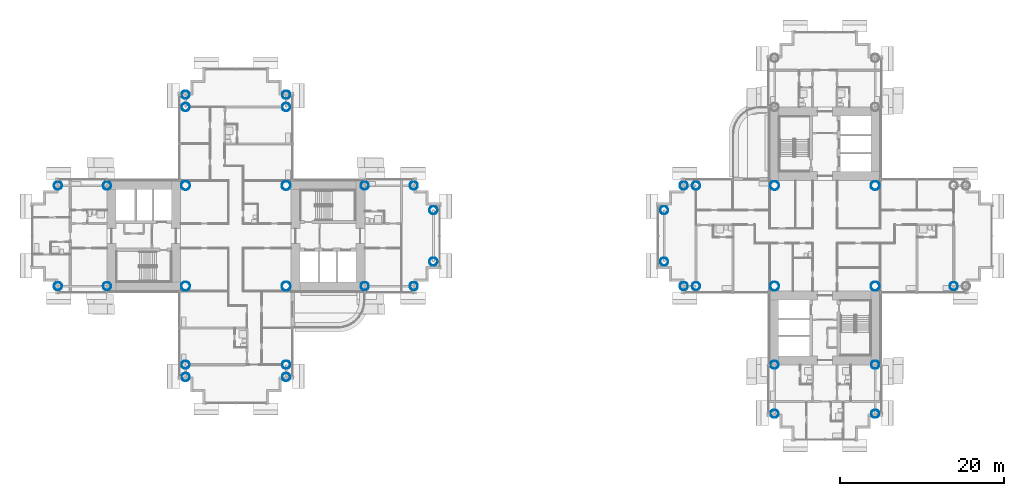
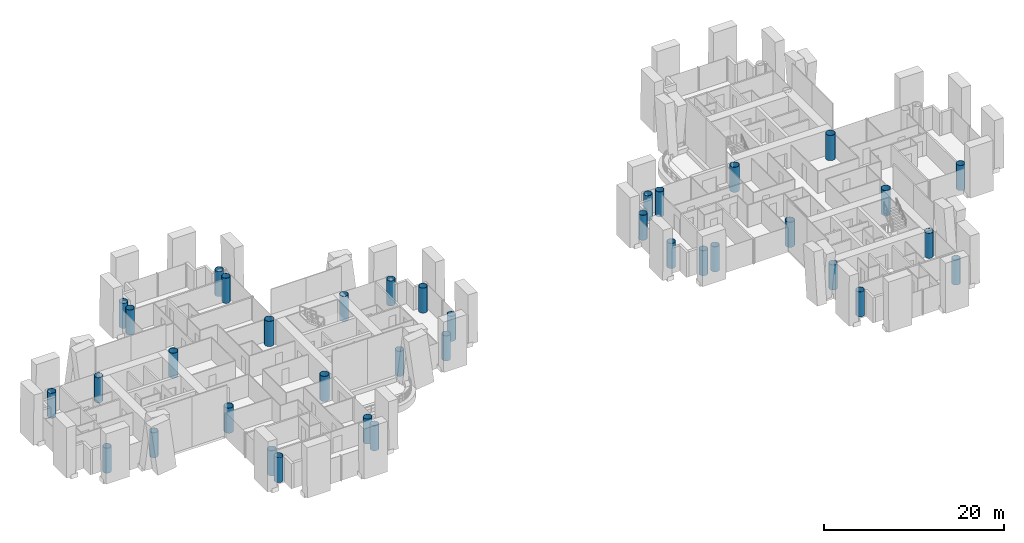
# One storey, part 1 of 23: 37 columns.
"""IFC4 building model written with IfcOpenShell, lengths in metres."""

from ifc_helpers import new_model, si_unit, direction, frame, origin, origin_2d, place, context, subcontext, project, spatial, hollow_circle, extrude, material, material_profile, profile_set, type_object, element, save


model = new_model("IFC4")

# Units and contexts
model_context = context("Model", 3, precision=1e-05, world=origin(), true_north=direction((0.0, 1.0)))
body_context = subcontext(model_context, "Body", "Model", "MODEL_VIEW")
ifc_project = project(units=[si_unit("LENGTHUNIT", "METRE"), si_unit("AREAUNIT", "SQUARE_METRE"), si_unit("VOLUMEUNIT", "CUBIC_METRE"), si_unit("PLANEANGLEUNIT", "RADIAN"), si_unit("MASSUNIT", "GRAM", prefix="KILO")], contexts=[model_context])

# Site, building, storey
site_placement = place(None, origin())
site = spatial("IfcSite", under=ifc_project, at=site_placement, CompositionType="ELEMENT")
building_placement = place(site_placement, origin())
building = spatial("IfcBuilding", under=site, at=building_placement, Name="Ipe Terrace Towers", CompositionType="ELEMENT")
storey_placement = place(building_placement, frame((0.0, 0.0, 44.89990234375)))
storey = spatial("IfcBuildingStorey", under=building, at=storey_placement, Name="L11", CompositionType="ELEMENT", Elevation=44.89990234375)

# Columns
ifc_material_1 = material(Name="Steel S355 tube with Concrete C60/75 fill", Category="concrete")
ifc_material_profile_1 = material_profile(ifc_material_1, hollow_circle(Radius=0.5, WallThickness=0.035888671875, at=origin_2d()), Name="CHS-1000x36")
ifc_profile_set_1 = profile_set([ifc_material_profile_1], Name="Steel S355 tube with Concrete C60/75 fill")
column_type_1 = type_object("IfcColumnType", Name="CH01 COLUMN CHS-1000x36", PredefinedType="COLUMN", material=ifc_profile_set_1)
for number, where, z_axis, x_axis, name in (
    (1, (-20.25, -6.14990234375, 0.0), (0.0, 0.0, 1.0), (1.0, 0.0, 0.0), "Column T1-C-A01"),
    (2, (-20.25, 6.14990234375, 0.0), (0.0, 0.0, 1.0), (1.0, 0.0, 0.0), "Column T1-C-A02"),
    (3, (-14.25, -6.14990234375, 0.0), (0.0, 0.0, 1.0), (1.0, 0.0, 0.0), "Column T1-C-A03"),
    (4, (-14.25, 6.14990234375, 0.0), (0.0, 0.0, 1.0), (1.0, 0.0, 0.0), "Column T1-C-A04"),
    (5, (-11.85009765625, -3.14990234375, 0.0), (0.0, 0.0, 1.0), (1.0, 0.0, 0.0), "Column T1-C-A05"),
    (6, (-11.85009765625, 3.14990234375, 0.0), (0.0, 0.0, 1.0), (1.0, 0.0, 0.0), "Column T1-C-A06"),
    (7, (-29.85009765625, 15.75, 0.0), (0.0, 0.0, 1.0), (1.0, 0.0, 0.0), "Column T1-C-B03"),
    (8, (-42.14990234375, 15.75, 0.0), (0.0, 0.0, 1.0), (1.0, 0.0, 0.0), "Column T1-C-B04"),
    (9, (-29.85009765625, 17.25, 0.0), (0.0, 0.0, 1.0), (1.0, 0.0, 0.0), "Column T1-C-B05"),
    (10, (-42.14990234375, 17.25, 0.0), (0.0, 0.0, 1.0), (1.0, 0.0, 0.0), "Column T1-C-B06"),
    (11, (-51.75, -6.14990234375, 0.0), (0.0, 0.0, 1.0), (1.0, 0.0, 0.0), "Column T1-C-C01"),
    (12, (-51.75, 6.14990234375, 0.0), (0.0, 0.0, 1.0), (1.0, 0.0, 0.0), "Column T1-C-C02"),
    (13, (-57.75, -6.14990234375, 0.0), (0.0, 0.0, 1.0), (1.0, 0.0, 0.0), "Column T1-C-C03"),
    (14, (-57.75, 6.14990234375, 0.0), (0.0, 0.0, 1.0), (1.0, 0.0, 0.0), "Column T1-C-C04"),
    (15, (-42.14990234375, -15.75, 0.0), (0.0, 0.0, 1.0), (1.0, 0.0, 0.0), "Column T1-C-D03"),
    (16, (-29.85009765625, -15.75, 0.0), (0.0, 0.0, 1.0), (1.0, 0.0, 0.0), "Column T1-C-D04"),
    (17, (-42.14990234375, -17.25, 0.0), (0.0, 0.0, 1.0), (1.0, 0.0, 0.0), "Column T1-C-D05"),
    (18, (-29.85009765625, -17.25, 0.0), (0.0, 0.0, 1.0), (1.0, 0.0, 0.0), "Column T1-C-D06"),
    (19, (20.25, 6.14990234375, 0.0), (0.0, 0.0, 1.0), (1.0, 0.0, 0.0), "Column T2-C-B03"),
    (20, (20.25, -6.14990234375, 0.0), (0.0, 0.0, 1.0), (1.0, 0.0, 0.0), "Column T2-C-B04"),
    (21, (18.75, 6.14990234375, 0.0), (0.0, 0.0, 1.0), (1.0, 0.0, 0.0), "Column T2-C-B05"),
    (22, (18.75, -6.14990234375, 0.0), (0.0, 0.0, 1.0), (1.0, 0.0, 0.0), "Column T2-C-B06"),
    (23, (16.35009765625, 3.14990234375, 0.0), (0.0, 0.0, 1.0), (1.0, 0.0, 0.0), "Column T2-C-B07"),
    (24, (16.35009765625, -3.14990234375, 0.0), (0.0, 0.0, 1.0), (1.0, 0.0, 0.0), "Column T2-C-B08"),
    (25, (42.14990234375, -15.75, 0.0), (0.0, 0.0, 1.0), (1.0, 0.0, 0.0), "Column T2-C-C01"),
    (26, (29.85009765625, -15.75, 0.0), (0.0, 0.0, 1.0), (1.0, 0.0, 0.0), "Column T2-C-C02"),
    (27, (42.14990234375, -21.75, 0.0), (0.0, 0.0, 1.0), (1.0, 0.0, 0.0), "Column T2-C-C03"),
    (28, (29.85009765625, -21.75, 0.0), (0.0, 0.0, 1.0), (1.0, 0.0, 0.0), "Column T2-C-C04"),
    (29, (51.75, -6.14990234375, 0.0), (0.0, 0.0, 1.0), (1.0, 0.0, 0.0), "Column T2-C-D03"),
):
    element("IfcColumn", number, at=place(storey_placement, frame(where, z_axis=z_axis, x_axis=x_axis)), inside=storey, type_object=column_type_1, Name=name, PredefinedType="COLUMN", context=body_context, shape_type="SweptSolid", body=[
        extrude(hollow_circle(Radius=0.5, WallThickness=0.035888671875, at=origin_2d()), origin(), (0.0, 0.0, 1.0), 3.400146484375),
    ])
ifc_material_2 = material(Name="Steel S355 tube with Concrete C60/75 fill", Category="concrete")
ifc_material_profile_2 = material_profile(ifc_material_2, hollow_circle(Radius=0.550048828125, WallThickness=0.0400390625, at=origin_2d()), Name="CHS-1100x40")
ifc_profile_set_2 = profile_set([ifc_material_profile_2], Name="Steel S355 tube with Concrete C60/75 fill")
column_type_2 = type_object("IfcColumnType", Name="CH02 COLUMN CHS-1100x40", PredefinedType="COLUMN", material=ifc_profile_set_2)
for number, where, z_axis, x_axis, name in (
    (30, (-42.14990234375, -6.14990234375, 0.0), (0.0, 0.0, 1.0), (1.0, 0.0, 0.0), "Column T1-C-E01"),
    (31, (-29.85009765625, -6.14990234375, 0.0), (0.0, 0.0, 1.0), (1.0, 0.0, 0.0), "Column T1-C-E02"),
    (32, (-29.85009765625, 6.14990234375, 0.0), (0.0, 0.0, 1.0), (1.0, 0.0, 0.0), "Column T1-C-E03"),
    (33, (-42.14990234375, 6.14990234375, 0.0), (0.0, 0.0, 1.0), (1.0, 0.0, 0.0), "Column T1-C-E04"),
    (34, (42.14990234375, -6.14990234375, 0.0), (0.0, 0.0, 1.0), (1.0, 0.0, 0.0), "Column T2-C-E01"),
    (35, (42.14990234375, 6.14990234375, 0.0), (0.0, 0.0, 1.0), (1.0, 0.0, 0.0), "Column T2-C-E02"),
    (36, (29.85009765625, 6.14990234375, 0.0), (0.0, 0.0, 1.0), (1.0, 0.0, 0.0), "Column T2-C-E03"),
    (37, (29.85009765625, -6.14990234375, 0.0), (0.0, 0.0, 1.0), (1.0, 0.0, 0.0), "Column T2-C-E04"),
):
    element("IfcColumn", number, at=place(storey_placement, frame(where, z_axis=z_axis, x_axis=x_axis)), inside=storey, type_object=column_type_2, Name=name, PredefinedType="COLUMN", context=body_context, shape_type="SweptSolid", body=[
        extrude(hollow_circle(Radius=0.550048828125, WallThickness=0.0400390625, at=origin_2d()), origin(), (0.0, 0.0, 1.0), 3.400146484375),
    ])

save(model, "model.ifc")
